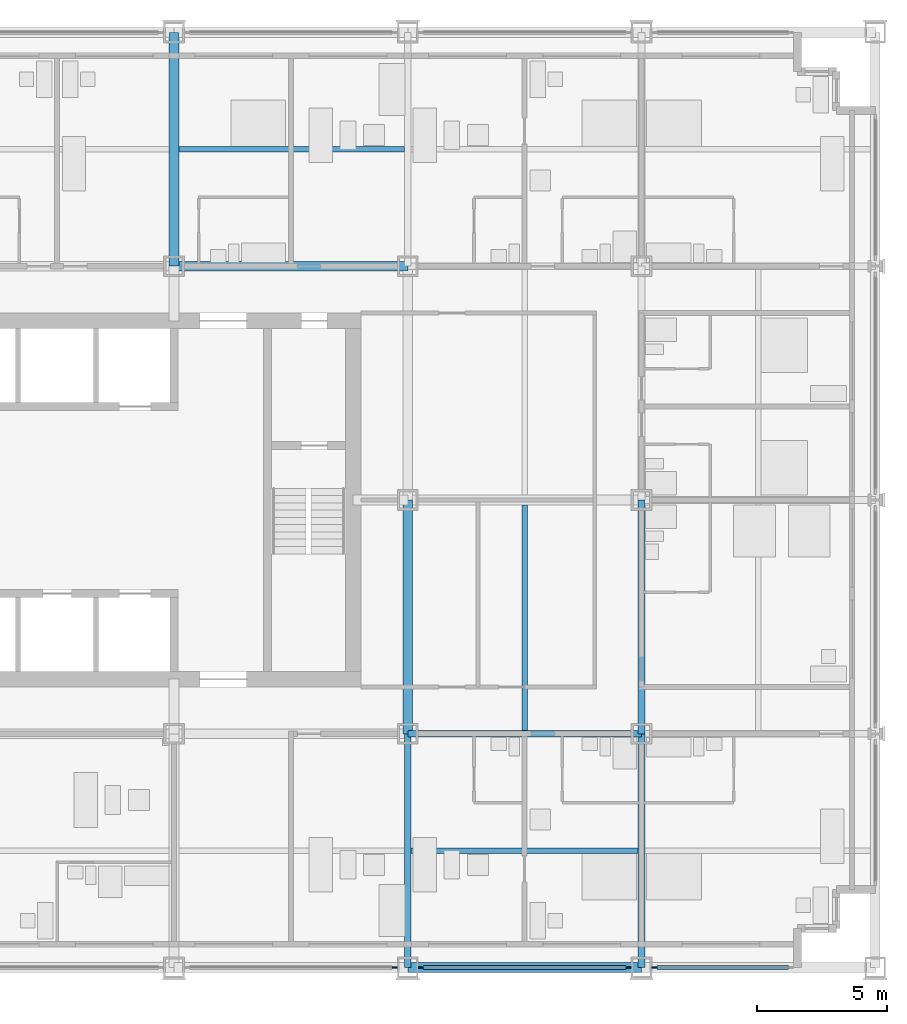
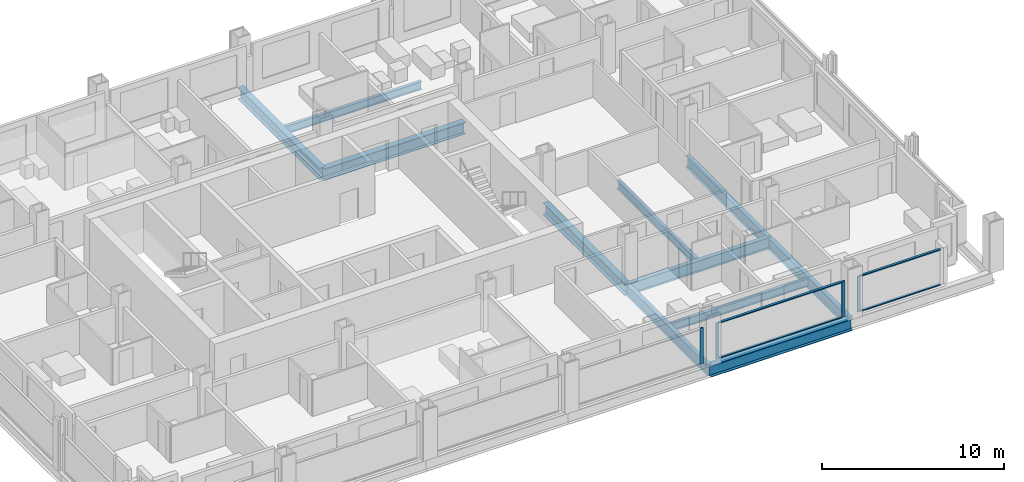
# One storey, part 5 of 18: 11 beams, 8 members, 3 elements without a shape of their own.
"""IFC4 building model written with IfcOpenShell, lengths in metres."""

from ifc_helpers import new_model, si_unit, direction, frame, origin, origin_2d, place, context, subcontext, project, spatial, rectangle, i_section, extrude, material, material_profile, profile_set, type_object, element, aggregate, save


model = new_model("IFC4")

# Units and contexts
model_context = context("Model", 3, precision=1e-05, world=origin(), true_north=direction((0.0, 1.0)))
body_context = subcontext(model_context, "Body", "Model", "MODEL_VIEW")
ifc_project = project(units=[si_unit("LENGTHUNIT", "METRE"), si_unit("AREAUNIT", "SQUARE_METRE"), si_unit("VOLUMEUNIT", "CUBIC_METRE"), si_unit("PLANEANGLEUNIT", "RADIAN"), si_unit("MASSUNIT", "GRAM", prefix="KILO")], contexts=[model_context])

# Site, building, storey
site_placement = place(None, origin())
site = spatial("IfcSite", under=ifc_project, at=site_placement, CompositionType="ELEMENT")
building_placement = place(site_placement, origin())
building = spatial("IfcBuilding", under=site, at=building_placement, Name="Loomwork Tower", CompositionType="ELEMENT")
storey_placement = place(building_placement, frame((0.0, 0.0, 75.60009765625)))
storey = spatial("IfcBuildingStorey", under=building, at=storey_placement, Name="L19", CompositionType="ELEMENT", Elevation=75.60009765625)

# Beams
ifc_material_1 = material(Name="Steel ASTM A992", Category="steel")
ifc_material_profile_1 = material_profile(ifc_material_1, i_section(OverallWidth=0.383544921875, OverallDepth=0.794921875, WebThickness=0.02099609375, FlangeThickness=0.0380859375, at=origin_2d()), Name="W30x235")
ifc_profile_set_1 = profile_set([ifc_material_profile_1], Name="Steel ASTM A992")
beam_type_1 = type_object("IfcBeamType", Name="CORE FLANK GIRDER W30x235", PredefinedType="BEAM", material=ifc_profile_set_1)
for number, where, z_axis, x_axis, name in (
    (1, (27.0, 27.0, -0.59765625), (1.0, 0.0, 0.0), (0.0, 1.0, 0.0), "Core Flank Girder G/5-G/6 L19"),
    (2, (27.0, 27.0, -0.59765625), (0.0, 1.0, 0.0), (-1.0, 0.0, 0.0), "Core Flank Girder G/5-H/5 L19"),
    (3, (36.0, 9.0, -0.59765625), (0.0, 1.0, 0.0), (-1.0, 0.0, 0.0), "Core Flank Girder E/6-F/6 L19"),
):
    element("IfcBeam", number, at=place(storey_placement, frame(where, z_axis=z_axis, x_axis=x_axis)), inside=storey, type_object=beam_type_1, Name=name, PredefinedType="BEAM", context=body_context, shape_type="SweptSolid", body=[
        extrude(i_section(OverallWidth=0.383544921875, OverallDepth=0.794921875, WebThickness=0.02099609375, FlangeThickness=0.0380859375, at=origin_2d()), origin(), (0.0, 0.0, 1.0), 9.0),
    ])
ifc_material_2 = material(Name="Steel ASTM A992", Category="steel")
ifc_material_profile_2 = material_profile(ifc_material_2, i_section(OverallWidth=0.2666015625, OverallDepth=0.761962890625, WebThickness=0.014404296875, FlangeThickness=0.021484375, at=origin_2d()), Name="W30x116")
ifc_profile_set_2 = profile_set([ifc_material_profile_2], Name="Steel ASTM A992")
beam_type_2 = type_object("IfcBeamType", Name="FLOOR GIRDER W30x116", PredefinedType="BEAM", material=ifc_profile_set_2)
for number, where, z_axis, x_axis, name in (
    (4, (36.0, 9.0, -0.5810546875), (1.0, 0.0, 0.0), (0.0, 1.0, 0.0), "Floor Girder E/6-E/7 L19"),
    (5, (36.0, 0.0, -0.5810546875), (0.0, 1.0, 0.0), (-1.0, 0.0, 0.0), "Floor Girder D/6-E/6 L19"),
    (6, (45.0, 0.0, -0.5810546875), (0.0, 1.0, 0.0), (-1.0, 0.0, 0.0), "Floor Girder D/7-E/7 L19"),
    (7, (45.0, 9.0, -0.5810546875), (0.0, 1.0, 0.0), (-1.0, 0.0, 0.0), "Floor Girder E/7-F/7 L19"),
):
    element("IfcBeam", number, at=place(storey_placement, frame(where, z_axis=z_axis, x_axis=x_axis)), inside=storey, type_object=beam_type_2, Name=name, PredefinedType="BEAM", context=body_context, shape_type="SweptSolid", body=[
        extrude(i_section(OverallWidth=0.2666015625, OverallDepth=0.761962890625, WebThickness=0.014404296875, FlangeThickness=0.021484375, at=origin_2d()), origin(), (0.0, 0.0, 1.0), 9.0),
    ])
ifc_material_3 = material(Name="Steel ASTM A992", Category="steel")
ifc_material_profile_3 = material_profile(ifc_material_3, i_section(OverallWidth=0.2109375, OverallDepth=0.53857421875, WebThickness=0.011474609375, FlangeThickness=0.018798828125, at=origin_2d()), Name="W21x73")
ifc_profile_set_3 = profile_set([ifc_material_profile_3], Name="Steel ASTM A992")
beam_type_3 = type_object("IfcBeamType", Name="FLOOR JOIST W21x73", PredefinedType="JOIST", material=ifc_profile_set_3)
beam_1_placement = place(storey_placement, frame((27.19091796875, 31.5, -0.46923828125), z_axis=(1.0, 0.0, 0.0), x_axis=(0.0, 1.0, 0.0)))
element("IfcBeam", 8, at=beam_1_placement, inside=storey, type_object=beam_type_3, Name="Floor Joist 27.000,31.500-36.000,31.500 L19", PredefinedType="JOIST", context=body_context, shape_type="SweptSolid", body=[
    extrude(i_section(OverallWidth=0.2109375, OverallDepth=0.53857421875, WebThickness=0.011474609375, FlangeThickness=0.018798828125, at=origin_2d()), origin(), (0.0, 0.0, 1.0), 8.676025390625),
])
beam_2_placement = place(storey_placement, frame((36.133056640625, 4.5, -0.46923828125), z_axis=(1.0, 0.0, 0.0), x_axis=(0.0, 1.0, 0.0)))
element("IfcBeam", 9, at=beam_2_placement, inside=storey, type_object=beam_type_3, Name="Floor Joist 36.000,4.500-45.000,4.500 L19", PredefinedType="JOIST", context=body_context, shape_type="SweptSolid", body=[
    extrude(i_section(OverallWidth=0.2109375, OverallDepth=0.53857421875, WebThickness=0.011474609375, FlangeThickness=0.018798828125, at=origin_2d()), origin(), (0.0, 0.0, 1.0), 8.73388671875),
])
beam_3_placement = place(storey_placement, frame((40.5, 9.133056640625, -0.46923828125), z_axis=(0.0, 1.0, 0.0), x_axis=(-1.0, 0.0, 0.0)))
element("IfcBeam", 10, at=beam_3_placement, inside=storey, type_object=beam_type_3, Name="Floor Joist 40.500,9.000-40.500,18.000 L19", PredefinedType="JOIST", context=body_context, shape_type="SweptSolid", body=[
    extrude(i_section(OverallWidth=0.2109375, OverallDepth=0.53857421875, WebThickness=0.011474609375, FlangeThickness=0.018798828125, at=origin_2d()), origin(), (0.0, 0.0, 1.0), 8.676025390625),
])

# Curtain wall, member
ifc_material_4 = material(Name="Aluminium curtain wall frame", Category="aluminium")
curtain_wall_type = type_object("IfcCurtainWallType", Name="Outer skin glazing hotel", PredefinedType="NOTDEFINED", material=ifc_material_4)
curtain_wall_1_placement = place(storey_placement, origin())
curtain_wall_1 = element("IfcCurtainWall", 11, at=curtain_wall_1_placement, inside=storey, type_object=curtain_wall_type, Name="Outer skin glazing hotel cw/S-27", PredefinedType="NOTDEFINED")
ifc_material_5 = material(Name="Aluminium curtain wall frame", Category="aluminium")
ifc_material_profile_4 = material_profile(ifc_material_5, rectangle(XDim=0.06494140625, YDim=0.199951171875, at=origin_2d()), Name="AL 65x200")
ifc_profile_set_4 = profile_set([ifc_material_profile_4], Name="Aluminium curtain wall frame")
member_type_1 = type_object("IfcMemberType", Name="Outer skin glazing hotel mullion", PredefinedType="MULLION", material=ifc_profile_set_4)
member_1_placement = place(storey_placement, frame((35.5, 0.0, 0.0), z_axis=(0.0, 0.0, 1.0), x_axis=(0.0, 1.0, 0.0)))
member_1 = element("IfcMember", 12, at=member_1_placement, type_object=member_type_1, Name="CW1 mullion 2", PredefinedType="MULLION", context=body_context, shape_type="SweptSolid", body=[
    extrude(rectangle(XDim=0.06494140625, YDim=0.199951171875, at=origin_2d()), origin(), (0.0, 0.0, 1.0), 2.420166015625),
])
aggregate(curtain_wall_1, [member_1])

# Curtain wall, members
curtain_wall_2_placement = place(storey_placement, origin())
curtain_wall_2 = element("IfcCurtainWall", 13, at=curtain_wall_2_placement, inside=storey, type_object=curtain_wall_type, Name="Outer skin glazing hotel cw/S-36", PredefinedType="NOTDEFINED")
member_2_placement = place(storey_placement, frame((36.5, 0.0, 0.0), z_axis=(0.0, 0.0, 1.0), x_axis=(0.0, 1.0, 0.0)))
member_2 = element("IfcMember", 14, at=member_2_placement, type_object=member_type_1, Name="CW1 mullion 1", PredefinedType="MULLION", context=body_context, shape_type="SweptSolid", body=[
    extrude(rectangle(XDim=0.06494140625, YDim=0.199951171875, at=origin_2d()), origin(), (0.0, 0.0, 1.0), 2.420166015625),
])
member_3_placement = place(storey_placement, frame((44.5, 0.0, 0.0), z_axis=(0.0, 0.0, 1.0), x_axis=(0.0, 1.0, 0.0)))
member_3 = element("IfcMember", 15, at=member_3_placement, type_object=member_type_1, Name="CW1 mullion 2", PredefinedType="MULLION", context=body_context, shape_type="SweptSolid", body=[
    extrude(rectangle(XDim=0.06494140625, YDim=0.199951171875, at=origin_2d()), origin(), (0.0, 0.0, 1.0), 2.420166015625),
])

# Curtain wall, member
curtain_wall_3_placement = place(storey_placement, origin())
curtain_wall_3 = element("IfcCurtainWall", 16, at=curtain_wall_3_placement, inside=storey, type_object=curtain_wall_type, Name="Outer skin glazing hotel cw/S-45", PredefinedType="NOTDEFINED")
member_4_placement = place(storey_placement, frame((45.5, 0.0, 0.0), z_axis=(0.0, 0.0, 1.0), x_axis=(0.0, 1.0, 0.0)))
member_4 = element("IfcMember", 17, at=member_4_placement, type_object=member_type_1, Name="CW1 mullion 1", PredefinedType="MULLION", context=body_context, shape_type="SweptSolid", body=[
    extrude(rectangle(XDim=0.06494140625, YDim=0.199951171875, at=origin_2d()), origin(), (0.0, 0.0, 1.0), 2.420166015625),
])

# Member
ifc_material_6 = material(Name="Aluminium curtain wall frame", Category="aluminium")
ifc_material_profile_5 = material_profile(ifc_material_6, rectangle(XDim=0.14990234375, YDim=0.06494140625, at=origin_2d()), Name="AL 65x150")
ifc_profile_set_5 = profile_set([ifc_material_profile_5], Name="Aluminium curtain wall frame")
member_type_2 = type_object("IfcMemberType", Name="Outer skin glazing hotel transom", PredefinedType="USERDEFINED", material=ifc_profile_set_5)
member_5_placement = place(storey_placement, frame((36.60009765625, 0.0, 0.032470703125), z_axis=(1.0, 0.0, 0.0), x_axis=(0.0, 1.0, 0.0)))
member_5 = element("IfcMember", 18, at=member_5_placement, type_object=member_type_2, Name="CW1 transom 1.1", ObjectType="TRANSOM", PredefinedType="USERDEFINED", context=body_context, shape_type="SweptSolid", body=[
    extrude(rectangle(XDim=0.14990234375, YDim=0.06494140625, at=origin_2d()), origin(), (0.0, 0.0, 1.0), 7.7998046875),
])

member_6_placement = place(storey_placement, frame((36.60009765625, 0.0, 2.3876953125), z_axis=(1.0, 0.0, 0.0), x_axis=(0.0, 1.0, 0.0)))
member_6 = element("IfcMember", 19, at=member_6_placement, type_object=member_type_2, Name="CW1 transom 1.2", ObjectType="TRANSOM", PredefinedType="USERDEFINED", context=body_context, shape_type="SweptSolid", body=[
    extrude(rectangle(XDim=0.14990234375, YDim=0.06494140625, at=origin_2d()), origin(), (0.0, 0.0, 1.0), 7.7998046875),
])

aggregate(curtain_wall_2, [member_2, member_3, member_5, member_6])

member_7_placement = place(storey_placement, frame((45.60009765625, 0.0, 0.032470703125), z_axis=(1.0, 0.0, 0.0), x_axis=(0.0, 1.0, 0.0)))
member_7 = element("IfcMember", 20, at=member_7_placement, type_object=member_type_2, Name="CW1 transom 1.1", ObjectType="TRANSOM", PredefinedType="USERDEFINED", context=body_context, shape_type="SweptSolid", body=[
    extrude(rectangle(XDim=0.14990234375, YDim=0.06494140625, at=origin_2d()), origin(), (0.0, 0.0, 1.0), 5.0498046875),
])

member_8_placement = place(storey_placement, frame((45.60009765625, 0.0, 2.3876953125), z_axis=(1.0, 0.0, 0.0), x_axis=(0.0, 1.0, 0.0)))
member_8 = element("IfcMember", 21, at=member_8_placement, type_object=member_type_2, Name="CW1 transom 1.2", ObjectType="TRANSOM", PredefinedType="USERDEFINED", context=body_context, shape_type="SweptSolid", body=[
    extrude(rectangle(XDim=0.14990234375, YDim=0.06494140625, at=origin_2d()), origin(), (0.0, 0.0, 1.0), 5.0498046875),
])

aggregate(curtain_wall_3, [member_4, member_7, member_8])

# Beam
ifc_material_7 = material(Name="Steel ASTM A992", Category="steel")
ifc_material_profile_6 = material_profile(ifc_material_7, i_section(OverallWidth=0.381103515625, OverallDepth=0.77978515625, WebThickness=0.01806640625, FlangeThickness=0.0302734375, at=origin_2d()), Name="W30x191")
ifc_profile_set_6 = profile_set([ifc_material_profile_6], Name="Steel ASTM A992")
beam_type_4 = type_object("IfcBeamType", Name="SPANDREL GIRDER W30x191", PredefinedType="SPANDREL", material=ifc_profile_set_6)
beam_4_placement = place(storey_placement, frame((36.0, 0.0, -0.590087890625), z_axis=(1.0, 0.0, 0.0), x_axis=(0.0, 1.0, 0.0)))
element("IfcBeam", 22, at=beam_4_placement, inside=storey, type_object=beam_type_4, Name="Spandrel Girder D/6-D/7 L19", PredefinedType="SPANDREL", context=body_context, shape_type="SweptSolid", body=[
    extrude(i_section(OverallWidth=0.381103515625, OverallDepth=0.77978515625, WebThickness=0.01806640625, FlangeThickness=0.0302734375, at=origin_2d()), origin(), (0.0, 0.0, 1.0), 9.0),
])

save(model, "model.ifc")
